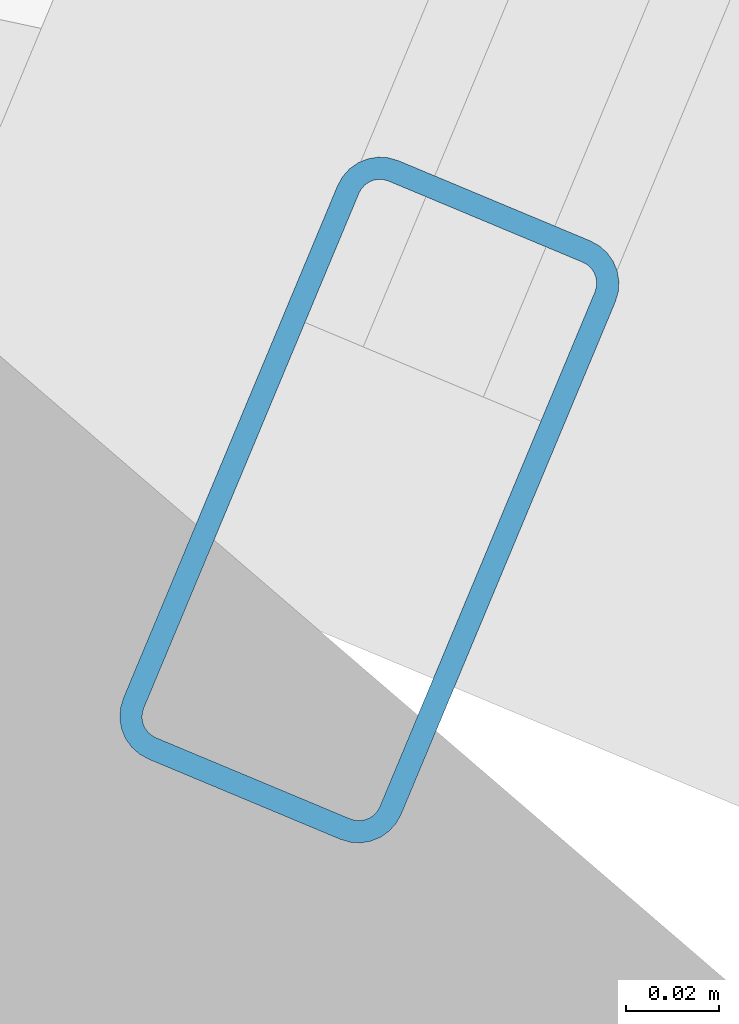
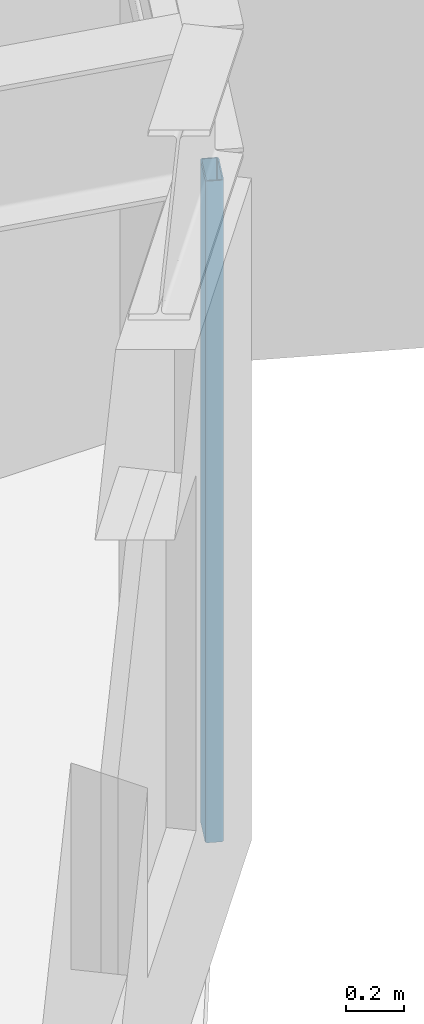
# One storey, part 10 of 23: 1 member, 1 element without a shape of its own.
"""IFC4 building model written with IfcOpenShell, lengths in metres."""

from ifc_helpers import new_model, si_unit, direction, frame, origin, origin_2d, place, context, subcontext, project, spatial, hollow_rectangle, extrude, material, layer, layer_set, material_profile, profile_set, type_object, element, aggregate, save


model = new_model("IFC4")

# Units and contexts
model_context = context("Model", 3, precision=1e-05, world=origin(), true_north=direction((0.0, 1.0)))
body_context = subcontext(model_context, "Body", "Model", "MODEL_VIEW")
ifc_project = project(units=[si_unit("LENGTHUNIT", "METRE"), si_unit("AREAUNIT", "SQUARE_METRE"), si_unit("VOLUMEUNIT", "CUBIC_METRE"), si_unit("PLANEANGLEUNIT", "RADIAN"), si_unit("MASSUNIT", "GRAM", prefix="KILO")], contexts=[model_context])

# Site, building, storey
site_placement = place(None, origin())
site = spatial("IfcSite", under=ifc_project, at=site_placement, CompositionType="ELEMENT")
building_placement = place(site_placement, origin())
building = spatial("IfcBuilding", under=site, at=building_placement, Name="Soratama Intermodal Tower", CompositionType="ELEMENT")
storey_placement = place(building_placement, frame((0.0, 0.0, 280.0)))
storey = spatial("IfcBuildingStorey", under=building, at=storey_placement, Name="L71", CompositionType="ELEMENT", Elevation=280.0)

# Curtain wall, member
ifc_material_1 = material(Name="Double-glazed aluminium curtain wall", Category="aluminium")
ifc_layer = layer(ifc_material_1, 0.159912109375)
ifc_layer_set = layer_set([ifc_layer], Name="Double-glazed aluminium curtain wall")
curtain_wall_type = type_object("IfcCurtainWallType", Name="CW-SYS-5", PredefinedType="NOTDEFINED", material=ifc_layer_set)
curtain_wall_placement = place(storey_placement, origin())
curtain_wall = element("IfcCurtainWall", 1, at=curtain_wall_placement, inside=storey, type_object=curtain_wall_type, Name="L71 Faceted Curtain Wall F08", PredefinedType="NOTDEFINED")
ifc_material_2 = material(Name="Anodised aluminium AA 6063-T6", Category="aluminium")
ifc_material_profile = material_profile(ifc_material_2, hollow_rectangle(XDim=0.06494140625, YDim=0.139892578125, WallThickness=0.0048828125, InnerFilletRadius=0.0048828125, OuterFilletRadius=0.010009765625, at=origin_2d()), Name="CWM140X65X5")
ifc_profile_set = profile_set([ifc_material_profile], Name="Anodised aluminium AA 6063-T6")
member_type = type_object("IfcMemberType", Name="MT-CWM-5", PredefinedType="MULLION", material=ifc_profile_set)
member_placement = place(storey_placement, frame((59.8701171875, 14.212158203125, 0.0), z_axis=(0.0, 0.0, 1.0), x_axis=(-0.922673346842, 0.385582539838, 0.0)))
member = element("IfcMember", 2, at=member_placement, type_object=member_type, Name="CW-5 mullion 1", PredefinedType="MULLION", context=body_context, shape_type="SweptSolid", body=[
    extrude(hollow_rectangle(XDim=0.06494140625, YDim=0.139892578125, WallThickness=0.0048828125, InnerFilletRadius=0.0048828125, OuterFilletRadius=0.010009765625, at=origin_2d()), origin(), (0.0, 0.0, 1.0), 2.7890625),
])
aggregate(curtain_wall, [member])

save(model, "model.ifc")
